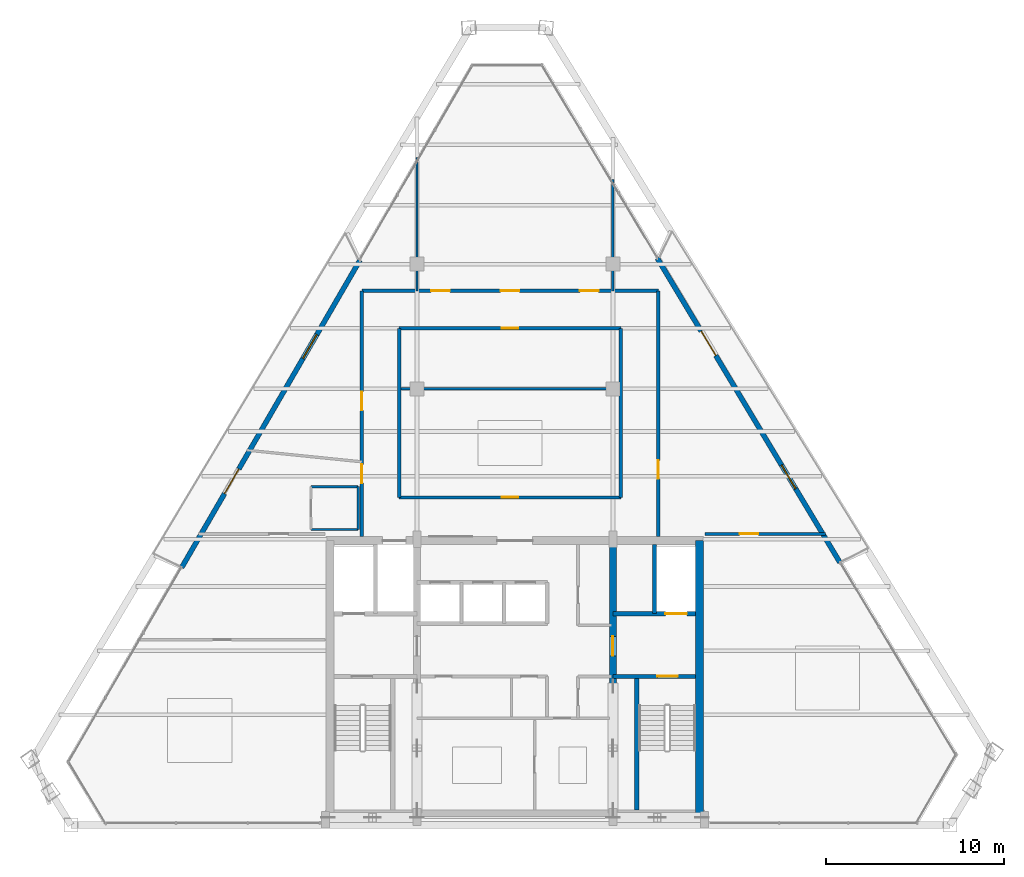
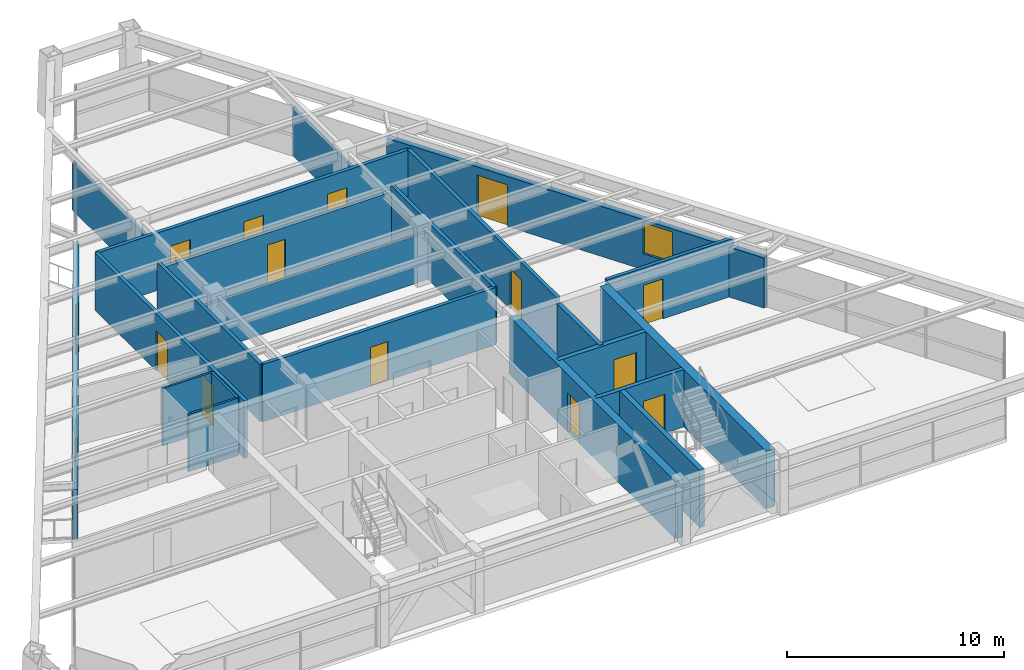
# One storey, part 10 of 13: 22 walls, 14 doors, 2 windows, 16 openings.
"""IFC4 building model written with IfcOpenShell, lengths in metres."""

from ifc_helpers import new_model, si_unit, direction, frame, frame_2d, origin, place, context, subcontext, project, spatial, rectangle, extrude, source, transform, mapped, material, layer, layer_set, type_object, type_shapes, element, fill, save


model = new_model("IFC4")

# Units and contexts
model_context = context("Model", 3, precision=1e-05, world=origin(), true_north=direction((0.0, 1.0)))
body_context = subcontext(model_context, "Body", "Model", "MODEL_VIEW")
ifc_project = project(units=[si_unit("LENGTHUNIT", "METRE"), si_unit("AREAUNIT", "SQUARE_METRE"), si_unit("VOLUMEUNIT", "CUBIC_METRE"), si_unit("PLANEANGLEUNIT", "RADIAN"), si_unit("MASSUNIT", "GRAM", prefix="KILO")], contexts=[model_context])

# Site, building, storey
site_placement = place(None, origin())
site = spatial("IfcSite", under=ifc_project, at=site_placement, CompositionType="ELEMENT")
building_placement = place(site_placement, origin())
building = spatial("IfcBuilding", under=site, at=building_placement, Name="Varnakhor Terracotta Tower", CompositionType="ELEMENT")
storey_placement = place(building_placement, frame((0.0, 0.0, 266.10009765625)))
storey = spatial("IfcBuildingStorey", under=building, at=storey_placement, Name="L69", CompositionType="ELEMENT", Elevation=266.10009765625)

# Walls
ifc_material_1 = material(Name="Moisture-Resistant Tile-Backed Partition", Category="gypsum")
ifc_layer_1 = layer(ifc_material_1, 0.114990234375, Name="Moisture-Resistant Tile-Backed Partition")
ifc_layer_set_1 = layer_set([ifc_layer_1], Name="Moisture-Resistant Tile-Backed Partition")
wall_type_1 = type_object("IfcWallType", Name="WAL-BATH-115", PredefinedType="PARTITIONING", material=ifc_layer_set_1)
for number, where, z_axis, x_axis, name in (
    (1, (-11.449951171875, 16.60009765625, 0.0), (0.0, 0.0, 1.0), (1.0, 0.0, 0.0), "L69 En-Suite 1 Wall S"),
    (2, (-11.449951171875, 19.0, 0.0), (0.0, 0.0, 1.0), (1.0, 0.0, 0.0), "L69 En-Suite 1 Wall N"),
):
    element("IfcWall", number, at=place(storey_placement, frame(where, z_axis=z_axis, x_axis=x_axis)), inside=storey, type_object=wall_type_1, Name=name, PredefinedType="PARTITIONING", context=body_context, shape_type="SweptSolid", body=[
        extrude(rectangle(XDim=2.64990234375, YDim=0.114990234375, at=frame_2d((1.324951171875, 0.0))), origin(), (0.0, 0.0, 1.0), 3.23193359375),
    ])
wall_1_placement = place(storey_placement, frame((-8.800048828125, 16.60009765625, 0.0), z_axis=(0.0, 0.0, 1.0), x_axis=(0.0, 1.0, 0.0)))
element("IfcWall", 3, at=wall_1_placement, inside=storey, type_object=wall_type_1, Name="L69 En-Suite 1 Wall E", PredefinedType="PARTITIONING", context=body_context, shape_type="SweptSolid", body=[
    extrude(rectangle(XDim=2.39990234375, YDim=0.114990234375, at=frame_2d((1.199951171875, 0.0))), origin(), (0.0, 0.0, 1.0), 3.23193359375),
])
ifc_material_2 = material(Name="Concrete C50/60", Category="concrete")
ifc_layer_2 = layer(ifc_material_2, 0.449951171875, Name="Concrete C50/60")
ifc_layer_set_2 = layer_set([ifc_layer_2], Name="Concrete C50/60")
wall_type_2 = type_object("IfcWallType", Name="WAL-CORE-450", PredefinedType="SHEAR", material=ifc_layer_set_2)
wall_2_placement = place(storey_placement, frame((10.375, 0.625, 0.0), z_axis=(0.0, 0.0, 1.0), x_axis=(0.0, 1.0, 0.0)))
element("IfcWall", 4, at=wall_2_placement, inside=storey, type_object=wall_type_2, Name="L69 East Core Shear Wall", PredefinedType="SHEAR", context=body_context, shape_type="SweptSolid", body=[
    extrude(rectangle(XDim=15.35009765625, YDim=0.449951171875, at=frame_2d((7.675048828125, 0.0))), origin(), (0.0, 0.0, 1.0), 3.239990234375),
])

# Wall, opening, door
ifc_layer_3 = layer(ifc_material_2, 0.39990234375, Name="Concrete C50/60")
ifc_layer_set_3 = layer_set([ifc_layer_3], Name="Concrete C50/60")
wall_type_3 = type_object("IfcWallType", Name="WAL-CORE-WEB-400", PredefinedType="SHEAR", material=ifc_layer_set_3)
wall_3_placement = place(storey_placement, frame((5.5, 0.625, 0.0), z_axis=(0.0, 0.0, 1.0), x_axis=(0.0, 1.0, 0.0)))
wall_3 = element("IfcWall", 5, at=wall_3_placement, inside=storey, type_object=wall_type_3, Name="L69 East Core Web Shear Wall", PredefinedType="SHEAR", context=body_context, shape_type="SweptSolid", body=[
    extrude(rectangle(XDim=15.35009765625, YDim=0.39990234375, at=frame_2d((7.675048828125, 0.0))), origin(), (0.0, 0.0, 1.0), 3.239990234375),
])
opening_1_placement = place(wall_3_placement, frame((8.875, 0.0, 0.0)))
opening_1 = element("IfcOpeningElement", 6, at=opening_1_placement, cuts=wall_3, Name="Opening DR-25", PredefinedType="OPENING", context=body_context, shape_type="SweptSolid", body=[
    extrude(rectangle(XDim=1.10009765625, YDim=2.199951171875, at=frame_2d((0.550048828125, 1.10009765625))), frame((0.0, 0.2099609375, 0.0), z_axis=(0.0, -1.0, 0.0), x_axis=(1.0, 0.0, 0.0)), (0.0, 0.0, 1.0), 0.419921875),
])
ifc_material_3 = material(Name="Firefighting Lobby Self-Closing Fire Door", Category="steel")
door_type_1 = type_object("IfcDoorType", Name="DR-FFL-1100X2200", OperationType="NOTDEFINED", PredefinedType="DOOR", material=ifc_material_3)
shared_shape_1 = source(origin(), body_context, "Body", "SweptSolid", [
    extrude(rectangle(XDim=1.10009765625, YDim=2.199951171875, at=frame_2d((0.550048828125, 1.10009765625))), frame((0.0, 0.02490234375, 0.0), z_axis=(0.0, -1.0, 0.0), x_axis=(1.0, 0.0, 0.0)), (0.0, 0.0, 1.0), 0.050048828125),
])
type_shapes(door_type_1, [shared_shape_1])
door_1_placement = place(opening_1_placement, origin())
door_1 = element("IfcDoor", 7, at=door_1_placement, inside=storey, type_object=door_type_1, Name="L69 East Firefighting Lobby Door", OperationType="SINGLE_SWING_LEFT", OverallHeight=2.199951171875, OverallWidth=1.10009765625, PredefinedType="DOOR", context=body_context, shape_type="MappedRepresentation", body=[
    mapped(shared_shape_1, transform((0.0, 0.0, 0.0), scale=1.0)),
])
fill(opening_1, door_1)

ifc_material_4 = material(Name="Fire-Rated Gypsum Stud Partition", Category="gypsum")
ifc_layer_4 = layer(ifc_material_4, 0.18505859375, Name="Fire-Rated Gypsum Stud Partition")
ifc_layer_set_4 = layer_set([ifc_layer_4], Name="Fire-Rated Gypsum Stud Partition")
wall_type_4 = type_object("IfcWallType", Name="WAL-CORR-185", PredefinedType="PARTITIONING", material=ifc_layer_set_4)
wall_4_placement = place(storey_placement, frame((-6.5, 18.39990234375, 0.0), z_axis=(0.0, 0.0, 1.0), x_axis=(1.0, 0.0, 0.0)))
wall_4 = element("IfcWall", 8, at=wall_4_placement, inside=storey, type_object=wall_type_4, Name="L69 Ring Inner South Wall", PredefinedType="PARTITIONING", context=body_context, shape_type="SweptSolid", body=[
    extrude(rectangle(XDim=12.449951171875, YDim=0.18505859375, at=frame_2d((6.22509765625, 0.0))), origin(), (0.0, 0.0, 1.0), 3.23193359375),
])
opening_2_placement = place(wall_4_placement, frame((5.75, 0.0, 0.0)))
opening_2 = element("IfcOpeningElement", 9, at=opening_2_placement, cuts=wall_4, Name="Opening DR-94", PredefinedType="OPENING", context=body_context, shape_type="SweptSolid", body=[
    extrude(rectangle(XDim=0.949951171875, YDim=2.199951171875, at=frame_2d((0.47509765625, 1.10009765625))), frame((0.0, 0.1025390625, 0.0), z_axis=(0.0, -1.0, 0.0), x_axis=(1.0, 0.0, 0.0)), (0.0, 0.0, 1.0), 0.205078125),
])
ifc_material_5 = material(Name="Acoustic Glazed-Vision Timber Office Door", Category="wood")
door_type_2 = type_object("IfcDoorType", Name="DR-OFF-950X2200", OperationType="NOTDEFINED", PredefinedType="DOOR", material=ifc_material_5)
shared_shape_2 = source(origin(), body_context, "Body", "SweptSolid", [
    extrude(rectangle(XDim=0.949951171875, YDim=2.199951171875, at=frame_2d((0.47509765625, 1.10009765625))), frame((0.0, 0.02490234375, 0.0), z_axis=(0.0, -1.0, 0.0), x_axis=(1.0, 0.0, 0.0)), (0.0, 0.0, 1.0), 0.050048828125),
])
type_shapes(door_type_2, [shared_shape_2])
door_2_placement = place(opening_2_placement, origin())
door_2 = element("IfcDoor", 10, at=door_2_placement, inside=storey, type_object=door_type_2, Name="L69 Housekeeping Station Door", OperationType="SINGLE_SWING_RIGHT", OverallHeight=2.199951171875, OverallWidth=0.949951171875, PredefinedType="DOOR", context=body_context, shape_type="MappedRepresentation", body=[
    mapped(shared_shape_2, transform((0.0, 0.0, 0.0), scale=1.0)),
])
fill(opening_2, door_2)

wall_5_placement = place(storey_placement, frame((-6.5, 27.89990234375, 0.0), z_axis=(0.0, 0.0, 1.0), x_axis=(1.0, 0.0, 0.0)))
wall_5 = element("IfcWall", 11, at=wall_5_placement, inside=storey, type_object=wall_type_4, Name="L69 Ring Inner North Wall", PredefinedType="PARTITIONING", context=body_context, shape_type="SweptSolid", body=[
    extrude(rectangle(XDim=12.449951171875, YDim=0.18505859375, at=frame_2d((6.22509765625, 0.0))), origin(), (0.0, 0.0, 1.0), 2.885009765625),
])
opening_3_placement = place(wall_5_placement, frame((5.75, 0.0, 0.0)))
opening_3 = element("IfcOpeningElement", 12, at=opening_3_placement, cuts=wall_5, Name="Opening DR-94", PredefinedType="OPENING", context=body_context, shape_type="SweptSolid", body=[
    extrude(rectangle(XDim=0.949951171875, YDim=2.199951171875, at=frame_2d((0.47509765625, 1.10009765625))), frame((0.0, 0.1025390625, 0.0), z_axis=(0.0, -1.0, 0.0), x_axis=(1.0, 0.0, 0.0)), (0.0, 0.0, 1.0), 0.205078125),
])
door_3_placement = place(opening_3_placement, origin())
door_3 = element("IfcDoor", 13, at=door_3_placement, inside=storey, type_object=door_type_2, Name="L69 Inner Service Door", OperationType="SINGLE_SWING_LEFT", OverallHeight=2.199951171875, OverallWidth=0.949951171875, PredefinedType="DOOR", context=body_context, shape_type="MappedRepresentation", body=[
    mapped(shared_shape_2, transform((0.0, 0.0, 0.0), scale=1.0)),
])
fill(opening_3, door_3)

# Walls
for number, where, z_axis, x_axis, name in (
    (14, (-6.5, 18.39990234375, 0.0), (0.0, 0.0, 1.0), (0.0, 1.0, 0.0), "L69 Ring Inner West Wall"),
    (15, (5.949951171875, 18.39990234375, 0.0), (0.0, 0.0, 1.0), (0.0, 1.0, 0.0), "L69 Ring Inner East Wall"),
):
    element("IfcWall", number, at=place(storey_placement, frame(where, z_axis=z_axis, x_axis=x_axis)), inside=storey, type_object=wall_type_4, Name=name, PredefinedType="PARTITIONING", context=body_context, shape_type="SweptSolid", body=[
        extrude(rectangle(XDim=9.5, YDim=0.18505859375, at=frame_2d((4.75, 0.0))), origin(), (0.0, 0.0, 1.0), 3.23193359375),
    ])

# Wall, openings, doors
wall_6_placement = place(storey_placement, frame((-8.60009765625, 16.199951171875, 0.0), z_axis=(0.0, 0.0, 1.0), x_axis=(0.0, 1.0, 0.0)))
wall_6 = element("IfcWall", 16, at=wall_6_placement, inside=storey, type_object=wall_type_4, Name="L69 Hotel West Corridor Wall", PredefinedType="PARTITIONING", context=body_context, shape_type="SweptSolid", body=[
    extrude(rectangle(XDim=13.800048828125, YDim=0.18505859375, at=frame_2d((6.89990234375, 0.0))), origin(), (0.0, 0.0, 1.0), 3.23193359375),
])
opening_4_placement = place(wall_6_placement, frame((3.0, 0.0, 0.0)))
opening_4 = element("IfcOpeningElement", 17, at=opening_4_placement, cuts=wall_6, Name="Opening DR-95", PredefinedType="OPENING", context=body_context, shape_type="SweptSolid", body=[
    extrude(rectangle(XDim=1.050048828125, YDim=2.25, at=frame_2d((0.52490234375, 1.125))), frame((0.0, 0.1025390625, 0.0), z_axis=(0.0, -1.0, 0.0), x_axis=(1.0, 0.0, 0.0)), (0.0, 0.0, 1.0), 0.205078125),
])
opening_5_placement = place(wall_6_placement, frame((7.087890625, 0.0, 0.0)))
opening_5 = element("IfcOpeningElement", 18, at=opening_5_placement, cuts=wall_6, Name="Opening DR-95", PredefinedType="OPENING", context=body_context, shape_type="SweptSolid", body=[
    extrude(rectangle(XDim=1.050048828125, YDim=2.25, at=frame_2d((0.52490234375, 1.125))), frame((0.0, 0.1025390625, 0.0), z_axis=(0.0, -1.0, 0.0), x_axis=(1.0, 0.0, 0.0)), (0.0, 0.0, 1.0), 0.205078125),
])
ifc_material_6 = material(Name="Solid-Core Timber Tenant/Hotel Entrance Door", Category="wood")
door_type_3 = type_object("IfcDoorType", Name="DR-SUITE-1050X2250", OperationType="NOTDEFINED", PredefinedType="DOOR", material=ifc_material_6)
shared_shape_3 = source(origin(), body_context, "Body", "SweptSolid", [
    extrude(rectangle(XDim=1.050048828125, YDim=2.25, at=frame_2d((0.52490234375, 1.125))), frame((0.0, 0.02490234375, 0.0), z_axis=(0.0, -1.0, 0.0), x_axis=(1.0, 0.0, 0.0)), (0.0, 0.0, 1.0), 0.050048828125),
])
type_shapes(door_type_3, [shared_shape_3])
door_4_placement = place(opening_4_placement, origin())
door_4 = element("IfcDoor", 19, at=door_4_placement, inside=storey, type_object=door_type_3, Name="L69 West Room 1 Entry Door", OperationType="SINGLE_SWING_LEFT", OverallHeight=2.25, OverallWidth=1.050048828125, PredefinedType="DOOR", context=body_context, shape_type="MappedRepresentation", body=[
    mapped(shared_shape_3, transform((0.0, 0.0, 0.0), scale=1.0)),
])
fill(opening_4, door_4)
door_5_placement = place(opening_5_placement, origin())
door_5 = element("IfcDoor", 20, at=door_5_placement, inside=storey, type_object=door_type_3, Name="L69 West Room 2 Entry Door", OperationType="SINGLE_SWING_LEFT", OverallHeight=2.25, OverallWidth=1.050048828125, PredefinedType="DOOR", context=body_context, shape_type="MappedRepresentation", body=[
    mapped(shared_shape_3, transform((0.0, 0.0, 0.0), scale=1.0)),
])
fill(opening_5, door_5)

# Wall, opening, door
wall_7_placement = place(storey_placement, frame((8.050048828125, 16.199951171875, 0.0), z_axis=(0.0, 0.0, 1.0), x_axis=(0.0, 1.0, 0.0)))
wall_7 = element("IfcWall", 21, at=wall_7_placement, inside=storey, type_object=wall_type_4, Name="L69 Hotel East Corridor Wall", PredefinedType="PARTITIONING", context=body_context, shape_type="SweptSolid", body=[
    extrude(rectangle(XDim=13.800048828125, YDim=0.18505859375, at=frame_2d((6.89990234375, 0.0))), origin(), (0.0, 0.0, 1.0), 3.23193359375),
])
opening_6_placement = place(wall_7_placement, frame((3.237548828125, 0.0, 0.0)))
opening_6 = element("IfcOpeningElement", 22, at=opening_6_placement, cuts=wall_7, Name="Opening DR-95", PredefinedType="OPENING", context=body_context, shape_type="SweptSolid", body=[
    extrude(rectangle(XDim=1.050048828125, YDim=2.25, at=frame_2d((0.52490234375, 1.125))), frame((0.0, 0.1025390625, 0.0), z_axis=(0.0, -1.0, 0.0), x_axis=(1.0, 0.0, 0.0)), (0.0, 0.0, 1.0), 0.205078125),
])
door_6_placement = place(opening_6_placement, origin())
door_6 = element("IfcDoor", 23, at=door_6_placement, inside=storey, type_object=door_type_3, Name="L69 East Room 1 Entry Door", OperationType="SINGLE_SWING_RIGHT", OverallHeight=2.25, OverallWidth=1.050048828125, PredefinedType="DOOR", context=body_context, shape_type="MappedRepresentation", body=[
    mapped(shared_shape_3, transform((0.0, 0.0, 0.0), scale=1.0)),
])
fill(opening_6, door_6)

# Wall, openings, doors
wall_8_placement = place(storey_placement, frame((-8.60009765625, 30.0, 0.0), z_axis=(0.0, 0.0, 1.0), x_axis=(1.0, 0.0, 0.0)))
wall_8 = element("IfcWall", 24, at=wall_8_placement, inside=storey, type_object=wall_type_4, Name="L69 Hotel North Corridor Wall", PredefinedType="PARTITIONING", context=body_context, shape_type="SweptSolid", body=[
    extrude(rectangle(XDim=16.650146484375, YDim=0.18505859375, at=frame_2d((8.3251953125, 0.0))), origin(), (0.0, 0.0, 1.0), 3.23193359375),
])
opening_7_placement = place(wall_8_placement, frame((3.89990234375, 0.0, 0.0)))
opening_7 = element("IfcOpeningElement", 25, at=opening_7_placement, cuts=wall_8, Name="Opening DR-95", PredefinedType="OPENING", context=body_context, shape_type="SweptSolid", body=[
    extrude(rectangle(XDim=1.050048828125, YDim=2.25, at=frame_2d((0.52490234375, 1.125))), frame((0.0, 0.1025390625, 0.0), z_axis=(0.0, -1.0, 0.0), x_axis=(1.0, 0.0, 0.0)), (0.0, 0.0, 1.0), 0.205078125),
])
opening_8_placement = place(wall_8_placement, frame((7.800048828125, 0.0, 0.0)))
opening_8 = element("IfcOpeningElement", 26, at=opening_8_placement, cuts=wall_8, Name="Opening DR-95", PredefinedType="OPENING", context=body_context, shape_type="SweptSolid", body=[
    extrude(rectangle(XDim=1.050048828125, YDim=2.25, at=frame_2d((0.52490234375, 1.125))), frame((0.0, 0.1025390625, 0.0), z_axis=(0.0, -1.0, 0.0), x_axis=(1.0, 0.0, 0.0)), (0.0, 0.0, 1.0), 0.205078125),
])
opening_9_placement = place(wall_8_placement, frame((12.25, 0.0, 0.0)))
opening_9 = element("IfcOpeningElement", 27, at=opening_9_placement, cuts=wall_8, Name="Opening DR-95", PredefinedType="OPENING", context=body_context, shape_type="SweptSolid", body=[
    extrude(rectangle(XDim=1.050048828125, YDim=2.25, at=frame_2d((0.52490234375, 1.125))), frame((0.0, 0.1025390625, 0.0), z_axis=(0.0, -1.0, 0.0), x_axis=(1.0, 0.0, 0.0)), (0.0, 0.0, 1.0), 0.205078125),
])
door_7_placement = place(opening_7_placement, origin())
door_7 = element("IfcDoor", 28, at=door_7_placement, inside=storey, type_object=door_type_3, Name="L69 North Suite 1 Entry Door", OperationType="SINGLE_SWING_LEFT", OverallHeight=2.25, OverallWidth=1.050048828125, PredefinedType="DOOR", context=body_context, shape_type="MappedRepresentation", body=[
    mapped(shared_shape_3, transform((0.0, 0.0, 0.0), scale=1.0)),
])
fill(opening_7, door_7)
door_8_placement = place(opening_8_placement, origin())
door_8 = element("IfcDoor", 29, at=door_8_placement, inside=storey, type_object=door_type_3, Name="L69 North Suite 2 Entry Door", OperationType="SINGLE_SWING_RIGHT", OverallHeight=2.25, OverallWidth=1.050048828125, PredefinedType="DOOR", context=body_context, shape_type="MappedRepresentation", body=[
    mapped(shared_shape_3, transform((0.0, 0.0, 0.0), scale=1.0)),
])
fill(opening_8, door_8)
door_9_placement = place(opening_9_placement, origin())
door_9 = element("IfcDoor", 30, at=door_9_placement, inside=storey, type_object=door_type_3, Name="L69 North Suite 3 Entry Door", OperationType="SINGLE_SWING_LEFT", OverallHeight=2.25, OverallWidth=1.050048828125, PredefinedType="DOOR", context=body_context, shape_type="MappedRepresentation", body=[
    mapped(shared_shape_3, transform((0.0, 0.0, 0.0), scale=1.0)),
])
fill(opening_9, door_9)

# Wall, opening, door
wall_9_placement = place(storey_placement, frame((10.679931640625, 16.35009765625, 0.0), z_axis=(0.0, 0.0, 1.0), x_axis=(1.0, 0.0, 0.0)))
wall_9 = element("IfcWall", 31, at=wall_9_placement, inside=storey, type_object=wall_type_4, Name="L69 South East Guest Entry Wall", PredefinedType="PARTITIONING", context=body_context, shape_type="SweptSolid", body=[
    extrude(rectangle(XDim=6.76220703125, YDim=0.18505859375, at=frame_2d((3.381103515625, 0.0))), origin(), (0.0, 0.0, 1.0), 3.23193359375),
])
opening_10_placement = place(wall_9_placement, frame((1.943603515625, 0.0, 0.0)))
opening_10 = element("IfcOpeningElement", 32, at=opening_10_placement, cuts=wall_9, Name="Opening DR-95", PredefinedType="OPENING", context=body_context, shape_type="SweptSolid", body=[
    extrude(rectangle(XDim=1.050048828125, YDim=2.25, at=frame_2d((0.52490234375, 1.125))), frame((0.0, 0.1025390625, 0.0), z_axis=(0.0, -1.0, 0.0), x_axis=(1.0, 0.0, 0.0)), (0.0, 0.0, 1.0), 0.205078125),
])
door_10_placement = place(opening_10_placement, origin())
door_10 = element("IfcDoor", 33, at=door_10_placement, inside=storey, type_object=door_type_3, Name="L69 SE Suite Entry Door", OperationType="SINGLE_SWING_LEFT", OverallHeight=2.25, OverallWidth=1.050048828125, PredefinedType="DOOR", context=body_context, shape_type="MappedRepresentation", body=[
    mapped(shared_shape_3, transform((0.0, 0.0, 0.0), scale=1.0)),
])
fill(opening_10, door_10)

# Wall, openings, door, window
ifc_material_7 = material(Name="Extruded Architectural Terracotta Assembly", Category="masonry")
ifc_layer_5 = layer(ifc_material_7, 0.280029296875, Name="Extruded Architectural Terracotta Assembly")
ifc_layer_set_5 = layer_set([ifc_layer_5], Name="Extruded Architectural Terracotta Assembly")
wall_type_5 = type_object("IfcWallType", Name="WAL-EXT-TERRACOTTA-280", PredefinedType="SOLIDWALL", material=ifc_layer_set_5)
wall_10_placement = place(storey_placement, frame((-18.713134765625, 14.466064453125, 0.0), z_axis=(0.0, 0.0, 1.0), x_axis=(0.501837095331, 0.864962155097, 0.0)))
wall_10 = element("IfcWall", 34, at=wall_10_placement, inside=storey, type_object=wall_type_5, Name="L69 W Loggia Insulated Terracotta Wall", PredefinedType="SOLIDWALL", context=body_context, shape_type="SweptSolid", body=[
    extrude(rectangle(XDim=19.95556640625, YDim=0.280029296875, at=frame_2d((9.977783203125, 0.0))), origin(), (0.0, 0.0, 1.0), 2.81982421875),
])
opening_11_placement = place(wall_10_placement, frame((4.789306640625, 0.0, 0.0)))
opening_11 = element("IfcOpeningElement", 35, at=opening_11_placement, cuts=wall_10, Name="Opening DR-62", PredefinedType="OPENING", context=body_context, shape_type="SweptSolid", body=[
    extrude(rectangle(XDim=1.60009765625, YDim=2.35009765625, at=frame_2d((0.800048828125, 1.175048828125))), frame((0.0, 0.14990234375, 0.0), z_axis=(0.0, -1.0, 0.0), x_axis=(1.0, 0.0, 0.0)), (0.0, 0.0, 1.0), 0.300048828125),
])
opening_12_placement = place(wall_10_placement, frame((13.56982421875, 0.0, 0.89990234375)))
opening_12 = element("IfcOpeningElement", 36, at=opening_12_placement, cuts=wall_10, Name="Opening WN-59", PredefinedType="OPENING", context=body_context, shape_type="SweptSolid", body=[
    extrude(rectangle(XDim=1.550048828125, YDim=1.75, at=frame_2d((0.77490234375, 0.875))), frame((0.0, 0.14990234375, 0.0), z_axis=(0.0, -1.0, 0.0), x_axis=(1.0, 0.0, 0.0)), (0.0, 0.0, 1.0), 0.300048828125),
])
ifc_material_8 = material(Name="Thermally Broken Sliding Glass Loggia Door", Category="glass")
door_type_4 = type_object("IfcDoorType", Name="DR-EXT-LOGGIA-1600X2350", OperationType="NOTDEFINED", PredefinedType="DOOR", material=ifc_material_8)
shared_shape_4 = source(origin(), body_context, "Body", "SweptSolid", [
    extrude(rectangle(XDim=1.60009765625, YDim=2.35009765625, at=frame_2d((0.800048828125, 1.175048828125))), frame((0.0, 0.02490234375, 0.0), z_axis=(0.0, -1.0, 0.0), x_axis=(1.0, 0.0, 0.0)), (0.0, 0.0, 1.0), 0.050048828125),
])
type_shapes(door_type_4, [shared_shape_4])
door_11_placement = place(opening_11_placement, origin())
door_11 = element("IfcDoor", 37, at=door_11_placement, inside=storey, type_object=door_type_4, Name="L69 W Recessed Loggia Sliding Door", OperationType="SLIDING_TO_LEFT", OverallHeight=2.35009765625, OverallWidth=1.60009765625, PredefinedType="DOOR", context=body_context, shape_type="MappedRepresentation", body=[
    mapped(shared_shape_4, transform((0.0, 0.0, 0.0), scale=1.0)),
])
fill(opening_11, door_11)
ifc_material_9 = material(Name="Solar-Control Low-E Insulated Glass Unit", Category="glass")
window_type = type_object("IfcWindowType", Name="WIN-HTL-1500X1950", PartitioningType="SINGLE_PANEL", PredefinedType="WINDOW", material=ifc_material_9)
shared_shape_5 = source(origin(), body_context, "Body", "SweptSolid", [
    extrude(rectangle(XDim=1.550048828125, YDim=1.75, at=frame_2d((0.77490234375, 0.875))), frame((0.0, 0.030029296875, 0.0), z_axis=(0.0, -1.0, 0.0), x_axis=(1.0, 0.0, 0.0)), (0.0, 0.0, 1.0), 0.06005859375),
])
type_shapes(window_type, [shared_shape_5])
window_1_placement = place(opening_12_placement, origin())
window_1 = element("IfcWindow", 38, at=window_1_placement, inside=storey, type_object=window_type, Name="L69 W Facet Punched Window", OverallHeight=1.75, OverallWidth=1.550048828125, PartitioningType="SINGLE_PANEL", PredefinedType="WINDOW", context=body_context, shape_type="MappedRepresentation", body=[
    mapped(shared_shape_5, transform((0.0, 0.0, 0.0), scale=1.0)),
])
fill(opening_12, window_1)

wall_11_placement = place(storey_placement, frame((7.9951171875, 31.836181640625, 0.0), z_axis=(0.0, 0.0, 1.0), x_axis=(0.514643481436, -0.8574042728, 0.0)))
wall_11 = element("IfcWall", 39, at=wall_11_placement, inside=storey, type_object=wall_type_5, Name="L69 E Loggia Insulated Terracotta Wall", PredefinedType="SOLIDWALL", context=body_context, shape_type="SweptSolid", body=[
    extrude(rectangle(XDim=19.927978515625, YDim=0.280029296875, at=frame_2d((9.9638671875, 0.0))), origin(), (0.0, 0.0, 1.0), 2.81982421875),
])
opening_13_placement = place(wall_11_placement, frame((4.78271484375, 0.0, 0.0)))
opening_13 = element("IfcOpeningElement", 40, at=opening_13_placement, cuts=wall_11, Name="Opening DR-62", PredefinedType="OPENING", context=body_context, shape_type="SweptSolid", body=[
    extrude(rectangle(XDim=1.60009765625, YDim=2.35009765625, at=frame_2d((0.800048828125, 1.175048828125))), frame((0.0, 0.14990234375, 0.0), z_axis=(0.0, -1.0, 0.0), x_axis=(1.0, 0.0, 0.0)), (0.0, 0.0, 1.0), 0.300048828125),
])
opening_14_placement = place(wall_11_placement, frame((13.551025390625, 0.0, 0.89990234375)))
opening_14 = element("IfcOpeningElement", 41, at=opening_14_placement, cuts=wall_11, Name="Opening WN-59", PredefinedType="OPENING", context=body_context, shape_type="SweptSolid", body=[
    extrude(rectangle(XDim=1.550048828125, YDim=1.75, at=frame_2d((0.77490234375, 0.875))), frame((0.0, 0.14990234375, 0.0), z_axis=(0.0, -1.0, 0.0), x_axis=(1.0, 0.0, 0.0)), (0.0, 0.0, 1.0), 0.300048828125),
])
door_12_placement = place(opening_13_placement, origin())
door_12 = element("IfcDoor", 42, at=door_12_placement, inside=storey, type_object=door_type_4, Name="L69 E Recessed Loggia Sliding Door", OperationType="SLIDING_TO_RIGHT", OverallHeight=2.35009765625, OverallWidth=1.60009765625, PredefinedType="DOOR", context=body_context, shape_type="MappedRepresentation", body=[
    mapped(shared_shape_4, transform((0.0, 0.0, 0.0), scale=1.0)),
])
fill(opening_13, door_12)
window_2_placement = place(opening_14_placement, origin())
window_2 = element("IfcWindow", 43, at=window_2_placement, inside=storey, type_object=window_type, Name="L69 E Facet Punched Window", OverallHeight=1.75, OverallWidth=1.550048828125, PartitioningType="SINGLE_PANEL", PredefinedType="WINDOW", context=body_context, shape_type="MappedRepresentation", body=[
    mapped(shared_shape_5, transform((0.0, 0.0, 0.0), scale=1.0)),
])
fill(opening_14, window_2)

# Wall, opening, door
ifc_material_10 = material(Name="Concrete C40/50", Category="concrete")
ifc_layer_6 = layer(ifc_material_10, 0.219970703125, Name="Concrete C40/50")
ifc_layer_set_6 = layer_set([ifc_layer_6], Name="Concrete C40/50")
wall_type_6 = type_object("IfcWallType", Name="WAL-FFLOBBY-220", PredefinedType="SOLIDWALL", material=ifc_layer_set_6)
wall_12_placement = place(storey_placement, frame((10.14990234375, 8.35009765625, 0.0), z_axis=(0.0, 0.0, 1.0), x_axis=(-1.0, 0.0, 0.0)))
wall_12 = element("IfcWall", 44, at=wall_12_placement, inside=storey, type_object=wall_type_6, Name="L69 East Firefighting Lobby Stair Wall", PredefinedType="SOLIDWALL", context=body_context, shape_type="SweptSolid", body=[
    extrude(rectangle(XDim=4.64990234375, YDim=0.219970703125, at=frame_2d((2.324951171875, 0.0))), origin(), (0.0, 0.0, 1.0), 3.239990234375),
])
opening_15_placement = place(wall_12_placement, frame((1.0, 0.0, 0.0)))
opening_15 = element("IfcOpeningElement", 45, at=opening_15_placement, cuts=wall_12, Name="Opening DR-34", PredefinedType="OPENING", context=body_context, shape_type="SweptSolid", body=[
    extrude(rectangle(XDim=1.14990234375, YDim=2.199951171875, at=frame_2d((0.574951171875, 1.10009765625))), frame((0.0, 0.1201171875, 0.0), z_axis=(0.0, -1.0, 0.0), x_axis=(1.0, 0.0, 0.0)), (0.0, 0.0, 1.0), 0.239990234375),
])
ifc_material_11 = material(Name="Self-Closing Smoke-Sealed Steel Fire Door", Category="steel")
door_type_5 = type_object("IfcDoorType", Name="DR-STAIR-1150X2200", OperationType="NOTDEFINED", PredefinedType="DOOR", material=ifc_material_11)
shared_shape_6 = source(origin(), body_context, "Body", "SweptSolid", [
    extrude(rectangle(XDim=1.14990234375, YDim=2.199951171875, at=frame_2d((0.574951171875, 1.10009765625))), frame((0.0, 0.02490234375, 0.0), z_axis=(0.0, -1.0, 0.0), x_axis=(1.0, 0.0, 0.0)), (0.0, 0.0, 1.0), 0.050048828125),
])
type_shapes(door_type_5, [shared_shape_6])
door_13_placement = place(opening_15_placement, origin())
door_13 = element("IfcDoor", 46, at=door_13_placement, inside=storey, type_object=door_type_5, Name="L69 Exit Stair ST-2 Fire Door", OperationType="SINGLE_SWING_RIGHT", OverallHeight=2.199951171875, OverallWidth=1.14990234375, PredefinedType="DOOR", context=body_context, shape_type="MappedRepresentation", body=[
    mapped(shared_shape_6, transform((0.0, 0.0, 0.0), scale=1.0)),
])
fill(opening_15, door_13)

# Walls
ifc_material_12 = material(Name="Acoustic Hotel Room Partition", Category="gypsum")
ifc_layer_7 = layer(ifc_material_12, 0.1298828125, Name="Acoustic Hotel Room Partition")
ifc_layer_set_7 = layer_set([ifc_layer_7], Name="Acoustic Hotel Room Partition")
wall_type_7 = type_object("IfcWallType", Name="WAL-PART-130", PredefinedType="PARTITIONING", material=ifc_layer_set_7)
wall_13_placement = place(storey_placement, frame((-5.5, 30.0, 0.0), z_axis=(0.0, 0.0, 1.0), x_axis=(0.0, 1.0, 0.0)))
element("IfcWall", 47, at=wall_13_placement, inside=storey, type_object=wall_type_7, Name="L69 North West Column Wall", PredefinedType="PARTITIONING", context=body_context, shape_type="SweptSolid", body=[
    extrude(rectangle(XDim=7.4990234375, YDim=0.1298828125, at=frame_2d((3.74951171875, 0.0))), origin(), (0.0, 0.0, 1.0), 2.682861328125),
])
wall_14_placement = place(storey_placement, frame((5.5, 30.0, 0.0), z_axis=(0.0, 0.0, 1.0), x_axis=(0.0, 1.0, 0.0)))
element("IfcWall", 48, at=wall_14_placement, inside=storey, type_object=wall_type_7, Name="L69 North East Column Wall", PredefinedType="PARTITIONING", context=body_context, shape_type="SweptSolid", body=[
    extrude(rectangle(XDim=6.24560546875, YDim=0.1298828125, at=frame_2d((3.122802734375, 0.0))), origin(), (0.0, 0.0, 1.0), 2.682861328125),
])
ifc_material_13 = material(Name="Acoustic Metal-Stud Partition", Category="gypsum")
ifc_layer_8 = layer(ifc_material_13, 0.139892578125, Name="Acoustic Metal-Stud Partition")
ifc_layer_set_8 = layer_set([ifc_layer_8], Name="Acoustic Metal-Stud Partition")
wall_type_8 = type_object("IfcWallType", Name="WAL-PART-140", PredefinedType="PARTITIONING", material=ifc_layer_set_8)
wall_15_placement = place(storey_placement, frame((-6.5, 24.5, 0.0), z_axis=(0.0, 0.0, 1.0), x_axis=(1.0, 0.0, 0.0)))
element("IfcWall", 49, at=wall_15_placement, inside=storey, type_object=wall_type_8, Name="L69 Inner Service Split", PredefinedType="PARTITIONING", context=body_context, shape_type="SweptSolid", body=[
    extrude(rectangle(XDim=12.449951171875, YDim=0.139892578125, at=frame_2d((6.22509765625, 0.0))), origin(), (0.0, 0.0, 1.0), 2.682861328125),
])
ifc_layer_9 = layer(ifc_material_10, 0.219970703125, Name="Concrete C40/50")
ifc_layer_set_9 = layer_set([ifc_layer_9], Name="Concrete C40/50")
wall_type_9 = type_object("IfcWallType", Name="WAL-SHAFT-220", PredefinedType="SOLIDWALL", material=ifc_layer_set_9)
wall_16_placement = place(storey_placement, frame((7.840087890625, 11.8701171875, 0.0), z_axis=(0.0, 0.0, 1.0), x_axis=(0.0, 1.0, 0.0)))
element("IfcWall", 50, at=wall_16_placement, inside=storey, type_object=wall_type_9, Name="L69 Lift FFL-2 and Riser Divider Wall", PredefinedType="SOLIDWALL", context=body_context, shape_type="SweptSolid", body=[
    extrude(rectangle(XDim=3.8798828125, YDim=0.219970703125, at=frame_2d((1.93994140625, 0.0))), origin(), (0.0, 0.0, 1.0), 3.239990234375),
])
ifc_layer_10 = layer(ifc_material_10, 0.25, Name="Concrete C40/50")
ifc_layer_set_10 = layer_set([ifc_layer_10], Name="Concrete C40/50")
wall_type_10 = type_object("IfcWallType", Name="WAL-SHAFT-250", PredefinedType="SOLIDWALL", material=ifc_layer_set_10)
wall_17_placement = place(storey_placement, frame((6.85009765625, 0.85009765625, 0.0), z_axis=(0.0, 0.0, 1.0), x_axis=(0.0, 1.0, 0.0)))
element("IfcWall", 51, at=wall_17_placement, inside=storey, type_object=wall_type_10, Name="L69 Stair ST-2 Bearing Shaft Wall", PredefinedType="SOLIDWALL", context=body_context, shape_type="SweptSolid", body=[
    extrude(rectangle(XDim=7.5, YDim=0.25, at=frame_2d((3.75, 0.0))), origin(), (0.0, 0.0, 1.0), 3.239990234375),
])

# Wall, opening, door
wall_18_placement = place(storey_placement, frame((10.14990234375, 11.8701171875, 0.0), z_axis=(0.0, 0.0, 1.0), x_axis=(-1.0, 0.0, 0.0)))
wall_18 = element("IfcWall", 52, at=wall_18_placement, inside=storey, type_object=wall_type_10, Name="L69 Lift FFL-2 Shaft Front Wall", PredefinedType="SOLIDWALL", context=body_context, shape_type="SweptSolid", body=[
    extrude(rectangle(XDim=4.64990234375, YDim=0.25, at=frame_2d((2.324951171875, 0.0))), origin(), (0.0, 0.0, 1.0), 3.239990234375),
])
opening_16_placement = place(wall_18_placement, frame((0.5, 0.0, 0.0)))
opening_16 = element("IfcOpeningElement", 53, at=opening_16_placement, cuts=wall_18, Name="Opening LD-02", PredefinedType="OPENING", context=body_context, shape_type="SweptSolid", body=[
    extrude(rectangle(XDim=1.199951171875, YDim=2.25, at=frame_2d((0.60009765625, 1.125))), frame((0.0, 0.135009765625, 0.0), z_axis=(0.0, -1.0, 0.0), x_axis=(1.0, 0.0, 0.0)), (0.0, 0.0, 1.0), 0.27001953125),
])
ifc_material_14 = material(Name="Firefighting Stretcher Sliding Lift Landing Door", Category="steel")
door_type_6 = type_object("IfcDoorType", Name="LD-FFL-1200X2250", OperationType="NOTDEFINED", PredefinedType="DOOR", material=ifc_material_14)
shared_shape_7 = source(origin(), body_context, "Body", "SweptSolid", [
    extrude(rectangle(XDim=1.199951171875, YDim=2.25, at=frame_2d((0.60009765625, 1.125))), frame((0.0, 0.02490234375, 0.0), z_axis=(0.0, -1.0, 0.0), x_axis=(1.0, 0.0, 0.0)), (0.0, 0.0, 1.0), 0.050048828125),
])
type_shapes(door_type_6, [shared_shape_7])
door_14_placement = place(opening_16_placement, origin())
door_14 = element("IfcDoor", 54, at=door_14_placement, inside=storey, type_object=door_type_6, Name="L69 Firefighting Lift FFL-2 Landing Door", OperationType="SLIDING_TO_RIGHT", OverallHeight=2.25, OverallWidth=1.199951171875, PredefinedType="DOOR", context=body_context, shape_type="MappedRepresentation", body=[
    mapped(shared_shape_7, transform((0.0, 0.0, 0.0), scale=1.0)),
])
fill(opening_16, door_14)

save(model, "model.ifc")
